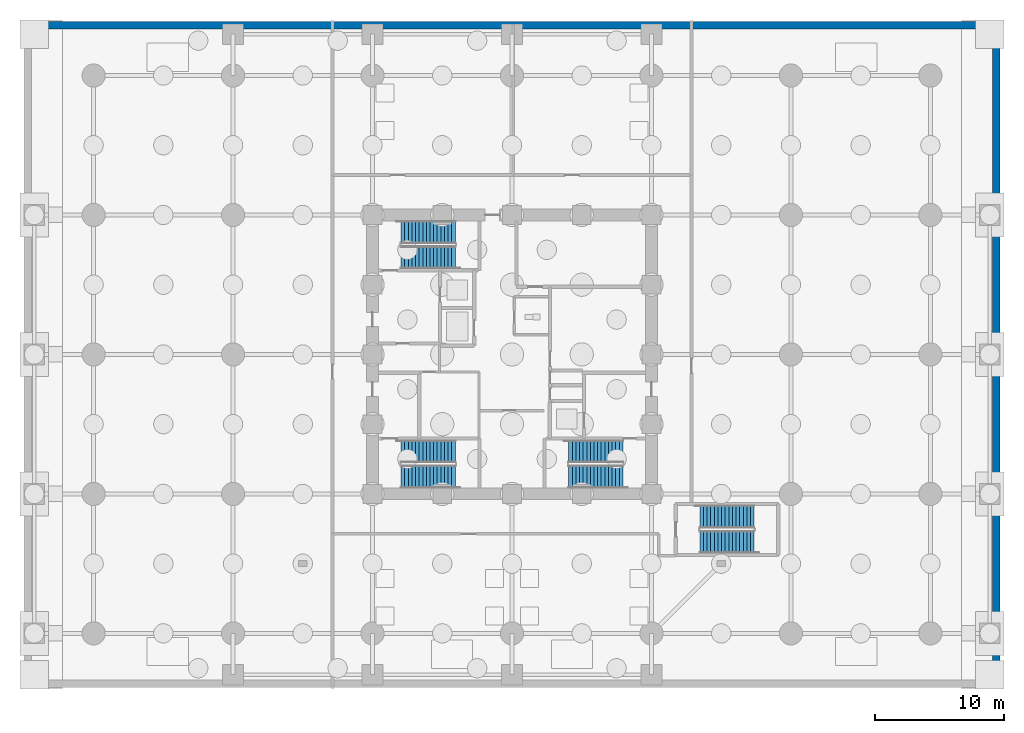
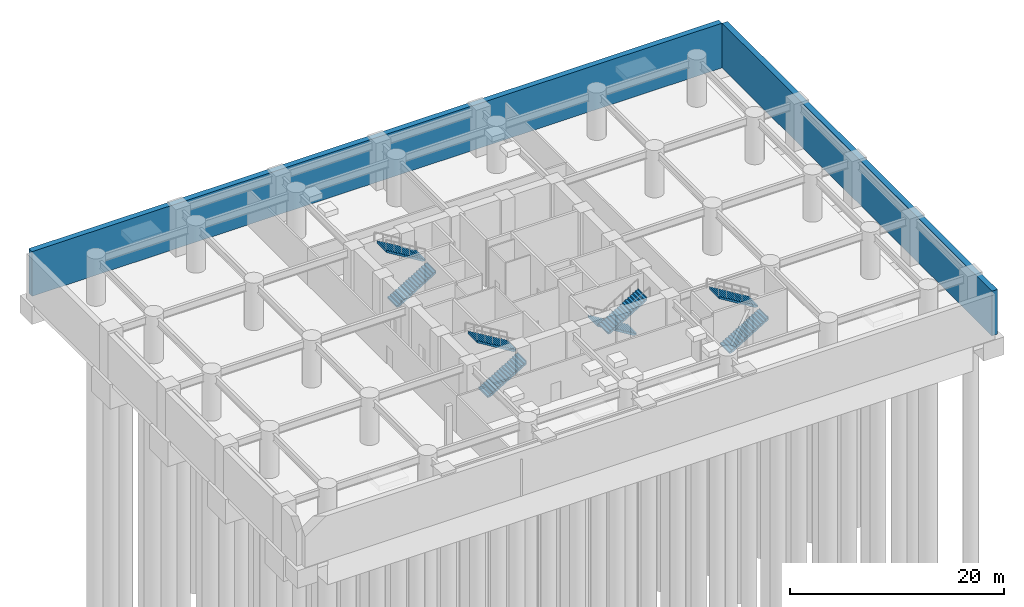
# One storey, part 6 of 9: 8 stair flights, 2 walls, 4 elements without a shape of their own.
"""IFC4 building model written with IfcOpenShell, lengths in metres."""

from ifc_helpers import new_model, si_unit, direction, frame, frame_2d, origin, place, context, subcontext, project, spatial, polyline, rectangle, outline, extrude, material, layer, layer_set, type_object, element, aggregate, save


model = new_model("IFC4")

# Units and contexts
model_context = context("Model", 3, precision=1e-05, world=origin(), true_north=direction((0.0, 1.0)))
body_context = subcontext(model_context, "Body", "Model", "MODEL_VIEW")
ifc_project = project(units=[si_unit("LENGTHUNIT", "METRE"), si_unit("AREAUNIT", "SQUARE_METRE"), si_unit("VOLUMEUNIT", "CUBIC_METRE"), si_unit("PLANEANGLEUNIT", "RADIAN"), si_unit("MASSUNIT", "GRAM", prefix="KILO")], contexts=[model_context])

# Site, building, storey
site_placement = place(None, origin())
site = spatial("IfcSite", under=ifc_project, at=site_placement, CompositionType="ELEMENT")
building_placement = place(site_placement, origin())
building = spatial("IfcBuilding", under=site, at=building_placement, Name="Surkhivell Harbour Commons", CompositionType="ELEMENT")
storey_placement = place(building_placement, frame((0.0, 0.0, -5.39990234375)))
storey = spatial("IfcBuildingStorey", under=building, at=storey_placement, Name="B1", CompositionType="ELEMENT", Elevation=-5.39990234375)

# Walls
ifc_material_1 = material(Name="Concrete C50/60", Category="concrete")
ifc_layer = layer(ifc_material_1, 0.60009765625)
ifc_layer_set = layer_set([ifc_layer], Name="Concrete C50/60")
wall_type = type_object("IfcWallType", Name="WAL-RET-600", PredefinedType="SOLIDWALL", material=ifc_layer_set)
wall_1_placement = place(storey_placement, frame((37.199951171875, 25.5, 0.0), z_axis=(0.0, 0.0, 1.0), x_axis=(-1.0, 0.0, 0.0)))
element("IfcWall", 1, at=wall_1_placement, inside=storey, type_object=wall_type, Name="B1 Perimeter RC Retaining Wall N", PredefinedType="SOLIDWALL", context=body_context, shape_type="SweptSolid", body=[
    extrude(rectangle(XDim=74.39990234375, YDim=0.60009765625, at=frame_2d((37.199951171875, 0.0))), origin(), (0.0, 0.0, 1.0), 5.099853515625),
])
wall_2_placement = place(storey_placement, frame((37.5, 25.199951171875, 0.0), z_axis=(0.0, 0.0, 1.0), x_axis=(0.0, -1.0, 0.0)))
element("IfcWall", 2, at=wall_2_placement, inside=storey, type_object=wall_type, Name="B1 Perimeter RC Retaining Wall E", PredefinedType="SOLIDWALL", context=body_context, shape_type="SweptSolid", body=[
    extrude(rectangle(XDim=50.39990234375, YDim=0.60009765625, at=frame_2d((25.199951171875, 0.0))), origin(), (0.0, 0.0, 1.0), 5.099853515625),
])

# Stair, stair flights
ifc_material_2 = material(Name="Precast concrete C45/55", Category="concrete")
stair_type = type_object("IfcStairType", Name="STR-DL-540", PredefinedType="HALF_TURN_STAIR", material=ifc_material_2)
stair_1_placement = place(storey_placement, origin())
stair_1 = element("IfcStair", 3, at=stair_1_placement, inside=storey, type_object=stair_type, Name="B1 Core Exit Stair ST1", PredefinedType="HALF_TURN_STAIR")
stair_flight_type = type_object("IfcStairFlightType", Name="STF-DL-540", PredefinedType="STRAIGHT", material=ifc_material_2)
stair_flight_1_placement = place(storey_placement, frame((-8.590087890625, 7.514892578125, 0.0), z_axis=(0.0, 0.0, 1.0), x_axis=(1.0, 0.0, 0.0)))
stair_flight_1 = element("IfcStairFlight", 4, at=stair_flight_1_placement, type_object=stair_flight_type, Name="ST1 flight 1", NumberOfRisers=16, NumberOfTreads=15, PredefinedType="STRAIGHT", RiserHeight=0.16875, TreadLength=0.28, context=body_context, shape_type="SweptSolid", body=[
    extrude(outline(polyline([(-0.0029296875, -0.034912109375), (-0.0029296875, 0.0), (0.0, 0.0), (0.0, 0.168701171875), (0.280029296875, 0.168701171875), (0.280029296875, 0.33740234375), (0.56005859375, 0.33740234375), (0.56005859375, 0.50634765625), (0.840087890625, 0.50634765625), (0.840087890625, 0.675048828125), (1.1201171875, 0.675048828125), (1.1201171875, 0.84375), (1.39990234375, 0.84375), (1.39990234375, 1.012451171875), (1.679931640625, 1.012451171875), (1.679931640625, 1.18115234375), (1.9599609375, 1.18115234375), (1.9599609375, 1.35009765625), (2.239990234375, 1.35009765625), (2.239990234375, 1.518798828125), (2.52001953125, 1.518798828125), (2.52001953125, 1.6875), (2.800048828125, 1.6875), (2.800048828125, 1.856201171875), (3.080078125, 1.856201171875), (3.080078125, 2.02490234375), (3.360107421875, 2.02490234375), (3.360107421875, 2.19384765625), (3.639892578125, 2.19384765625), (3.639892578125, 2.362548828125), (3.919921875, 2.362548828125), (3.919921875, 2.53125), (4.199951171875, 2.53125), (4.199951171875, 2.699951171875), (4.202880859375, 2.699951171875), (4.202880859375, 2.356201171875), (0.29052734375, -0.034912109375), (-0.0029296875, -0.034912109375)])), frame((0.0, 0.875, 0.0), z_axis=(0.0, -1.0, 0.0), x_axis=(1.0, 0.0, 0.0)), (0.0, 0.0, 1.0), 1.75),
])
stair_flight_2_placement = place(storey_placement, frame((-4.389892578125, 9.465087890625, 2.699951171875), z_axis=(0.0, 0.0, 1.0), x_axis=(-1.0, 0.0, 0.0)))
stair_flight_2 = element("IfcStairFlight", 5, at=stair_flight_2_placement, type_object=stair_flight_type, Name="ST1 flight 2", NumberOfRisers=16, NumberOfTreads=15, PredefinedType="STRAIGHT", RiserHeight=0.16875, TreadLength=0.28, context=body_context, shape_type="SweptSolid", body=[
    extrude(outline(polyline([(-0.0029296875, -0.034912109375), (-0.0029296875, 0.0), (0.0, 0.0), (0.0, 0.168701171875), (0.280029296875, 0.168701171875), (0.280029296875, 0.33740234375), (0.56005859375, 0.33740234375), (0.56005859375, 0.50634765625), (0.840087890625, 0.50634765625), (0.840087890625, 0.675048828125), (1.1201171875, 0.675048828125), (1.1201171875, 0.84375), (1.39990234375, 0.84375), (1.39990234375, 1.012451171875), (1.679931640625, 1.012451171875), (1.679931640625, 1.18115234375), (1.9599609375, 1.18115234375), (1.9599609375, 1.35009765625), (2.239990234375, 1.35009765625), (2.239990234375, 1.518798828125), (2.52001953125, 1.518798828125), (2.52001953125, 1.6875), (2.800048828125, 1.6875), (2.800048828125, 1.856201171875), (3.080078125, 1.856201171875), (3.080078125, 2.02490234375), (3.360107421875, 2.02490234375), (3.360107421875, 2.19384765625), (3.639892578125, 2.19384765625), (3.639892578125, 2.362548828125), (3.919921875, 2.362548828125), (3.919921875, 2.53125), (4.199951171875, 2.53125), (4.199951171875, 2.699951171875), (4.202880859375, 2.699951171875), (4.202880859375, 2.356201171875), (0.29052734375, -0.034912109375), (-0.0029296875, -0.034912109375)])), frame((0.0, 0.875, 0.0), z_axis=(0.0, -1.0, 0.0), x_axis=(1.0, 0.0, 0.0)), (0.0, 0.0, 1.0), 1.75),
])
aggregate(stair_1, [stair_flight_1, stair_flight_2])

stair_2_placement = place(storey_placement, origin())
stair_2 = element("IfcStair", 6, at=stair_2_placement, inside=storey, type_object=stair_type, Name="B1 Core Exit Stair ST2", PredefinedType="HALF_TURN_STAIR")
stair_flight_3_placement = place(storey_placement, frame((8.590087890625, -7.514892578125, 0.0), z_axis=(0.0, 0.0, 1.0), x_axis=(-1.0, 0.0, 0.0)))
stair_flight_3 = element("IfcStairFlight", 7, at=stair_flight_3_placement, type_object=stair_flight_type, Name="ST2 flight 1", NumberOfRisers=16, NumberOfTreads=15, PredefinedType="STRAIGHT", RiserHeight=0.16875, TreadLength=0.28, context=body_context, shape_type="SweptSolid", body=[
    extrude(outline(polyline([(-0.0029296875, -0.034912109375), (-0.0029296875, 0.0), (0.0, 0.0), (0.0, 0.168701171875), (0.280029296875, 0.168701171875), (0.280029296875, 0.33740234375), (0.56005859375, 0.33740234375), (0.56005859375, 0.50634765625), (0.840087890625, 0.50634765625), (0.840087890625, 0.675048828125), (1.1201171875, 0.675048828125), (1.1201171875, 0.84375), (1.39990234375, 0.84375), (1.39990234375, 1.012451171875), (1.679931640625, 1.012451171875), (1.679931640625, 1.18115234375), (1.9599609375, 1.18115234375), (1.9599609375, 1.35009765625), (2.239990234375, 1.35009765625), (2.239990234375, 1.518798828125), (2.52001953125, 1.518798828125), (2.52001953125, 1.6875), (2.800048828125, 1.6875), (2.800048828125, 1.856201171875), (3.080078125, 1.856201171875), (3.080078125, 2.02490234375), (3.360107421875, 2.02490234375), (3.360107421875, 2.19384765625), (3.639892578125, 2.19384765625), (3.639892578125, 2.362548828125), (3.919921875, 2.362548828125), (3.919921875, 2.53125), (4.199951171875, 2.53125), (4.199951171875, 2.699951171875), (4.202880859375, 2.699951171875), (4.202880859375, 2.356201171875), (0.29052734375, -0.034912109375), (-0.0029296875, -0.034912109375)])), frame((0.0, 0.875, 0.0), z_axis=(0.0, -1.0, 0.0), x_axis=(1.0, 0.0, 0.0)), (0.0, 0.0, 1.0), 1.75),
])
stair_flight_4_placement = place(storey_placement, frame((4.389892578125, -9.465087890625, 2.699951171875), z_axis=(0.0, 0.0, 1.0), x_axis=(1.0, 0.0, 0.0)))
stair_flight_4 = element("IfcStairFlight", 8, at=stair_flight_4_placement, type_object=stair_flight_type, Name="ST2 flight 2", NumberOfRisers=16, NumberOfTreads=15, PredefinedType="STRAIGHT", RiserHeight=0.16875, TreadLength=0.28, context=body_context, shape_type="SweptSolid", body=[
    extrude(outline(polyline([(-0.0029296875, -0.034912109375), (-0.0029296875, 0.0), (0.0, 0.0), (0.0, 0.168701171875), (0.280029296875, 0.168701171875), (0.280029296875, 0.33740234375), (0.56005859375, 0.33740234375), (0.56005859375, 0.50634765625), (0.840087890625, 0.50634765625), (0.840087890625, 0.675048828125), (1.1201171875, 0.675048828125), (1.1201171875, 0.84375), (1.39990234375, 0.84375), (1.39990234375, 1.012451171875), (1.679931640625, 1.012451171875), (1.679931640625, 1.18115234375), (1.9599609375, 1.18115234375), (1.9599609375, 1.35009765625), (2.239990234375, 1.35009765625), (2.239990234375, 1.518798828125), (2.52001953125, 1.518798828125), (2.52001953125, 1.6875), (2.800048828125, 1.6875), (2.800048828125, 1.856201171875), (3.080078125, 1.856201171875), (3.080078125, 2.02490234375), (3.360107421875, 2.02490234375), (3.360107421875, 2.19384765625), (3.639892578125, 2.19384765625), (3.639892578125, 2.362548828125), (3.919921875, 2.362548828125), (3.919921875, 2.53125), (4.199951171875, 2.53125), (4.199951171875, 2.699951171875), (4.202880859375, 2.699951171875), (4.202880859375, 2.356201171875), (0.29052734375, -0.034912109375), (-0.0029296875, -0.034912109375)])), frame((0.0, 0.875, 0.0), z_axis=(0.0, -1.0, 0.0), x_axis=(1.0, 0.0, 0.0)), (0.0, 0.0, 1.0), 1.75),
])
aggregate(stair_2, [stair_flight_3, stair_flight_4])

stair_3_placement = place(storey_placement, origin())
stair_3 = element("IfcStair", 9, at=stair_3_placement, inside=storey, type_object=stair_type, Name="B1 Core Exit Stair ST3", PredefinedType="HALF_TURN_STAIR")
stair_flight_5_placement = place(storey_placement, frame((-8.590087890625, -9.465087890625, 0.0), z_axis=(0.0, 0.0, 1.0), x_axis=(1.0, 0.0, 0.0)))
stair_flight_5 = element("IfcStairFlight", 10, at=stair_flight_5_placement, type_object=stair_flight_type, Name="ST3 flight 1", NumberOfRisers=16, NumberOfTreads=15, PredefinedType="STRAIGHT", RiserHeight=0.16875, TreadLength=0.28, context=body_context, shape_type="SweptSolid", body=[
    extrude(outline(polyline([(-0.0029296875, -0.034912109375), (-0.0029296875, 0.0), (0.0, 0.0), (0.0, 0.168701171875), (0.280029296875, 0.168701171875), (0.280029296875, 0.33740234375), (0.56005859375, 0.33740234375), (0.56005859375, 0.50634765625), (0.840087890625, 0.50634765625), (0.840087890625, 0.675048828125), (1.1201171875, 0.675048828125), (1.1201171875, 0.84375), (1.39990234375, 0.84375), (1.39990234375, 1.012451171875), (1.679931640625, 1.012451171875), (1.679931640625, 1.18115234375), (1.9599609375, 1.18115234375), (1.9599609375, 1.35009765625), (2.239990234375, 1.35009765625), (2.239990234375, 1.518798828125), (2.52001953125, 1.518798828125), (2.52001953125, 1.6875), (2.800048828125, 1.6875), (2.800048828125, 1.856201171875), (3.080078125, 1.856201171875), (3.080078125, 2.02490234375), (3.360107421875, 2.02490234375), (3.360107421875, 2.19384765625), (3.639892578125, 2.19384765625), (3.639892578125, 2.362548828125), (3.919921875, 2.362548828125), (3.919921875, 2.53125), (4.199951171875, 2.53125), (4.199951171875, 2.699951171875), (4.202880859375, 2.699951171875), (4.202880859375, 2.356201171875), (0.29052734375, -0.034912109375), (-0.0029296875, -0.034912109375)])), frame((0.0, 0.875, 0.0), z_axis=(0.0, -1.0, 0.0), x_axis=(1.0, 0.0, 0.0)), (0.0, 0.0, 1.0), 1.75),
])
stair_flight_6_placement = place(storey_placement, frame((-4.389892578125, -7.514892578125, 2.699951171875), z_axis=(0.0, 0.0, 1.0), x_axis=(-1.0, 0.0, 0.0)))
stair_flight_6 = element("IfcStairFlight", 11, at=stair_flight_6_placement, type_object=stair_flight_type, Name="ST3 flight 2", NumberOfRisers=16, NumberOfTreads=15, PredefinedType="STRAIGHT", RiserHeight=0.16875, TreadLength=0.28, context=body_context, shape_type="SweptSolid", body=[
    extrude(outline(polyline([(-0.0029296875, -0.034912109375), (-0.0029296875, 0.0), (0.0, 0.0), (0.0, 0.168701171875), (0.280029296875, 0.168701171875), (0.280029296875, 0.33740234375), (0.56005859375, 0.33740234375), (0.56005859375, 0.50634765625), (0.840087890625, 0.50634765625), (0.840087890625, 0.675048828125), (1.1201171875, 0.675048828125), (1.1201171875, 0.84375), (1.39990234375, 0.84375), (1.39990234375, 1.012451171875), (1.679931640625, 1.012451171875), (1.679931640625, 1.18115234375), (1.9599609375, 1.18115234375), (1.9599609375, 1.35009765625), (2.239990234375, 1.35009765625), (2.239990234375, 1.518798828125), (2.52001953125, 1.518798828125), (2.52001953125, 1.6875), (2.800048828125, 1.6875), (2.800048828125, 1.856201171875), (3.080078125, 1.856201171875), (3.080078125, 2.02490234375), (3.360107421875, 2.02490234375), (3.360107421875, 2.19384765625), (3.639892578125, 2.19384765625), (3.639892578125, 2.362548828125), (3.919921875, 2.362548828125), (3.919921875, 2.53125), (4.199951171875, 2.53125), (4.199951171875, 2.699951171875), (4.202880859375, 2.699951171875), (4.202880859375, 2.356201171875), (0.29052734375, -0.034912109375), (-0.0029296875, -0.034912109375)])), frame((0.0, 0.875, 0.0), z_axis=(0.0, -1.0, 0.0), x_axis=(1.0, 0.0, 0.0)), (0.0, 0.0, 1.0), 1.75),
])
aggregate(stair_3, [stair_flight_5, stair_flight_6])

stair_4_placement = place(storey_placement, origin())
stair_4 = element("IfcStair", 12, at=stair_4_placement, inside=storey, type_object=stair_type, Name="B1 Podium Exit Stair ST4", PredefinedType="HALF_TURN_STAIR")
stair_flight_7_placement = place(storey_placement, frame((14.550048828125, -14.52490234375, 0.0), z_axis=(0.0, 0.0, 1.0), x_axis=(1.0, 0.0, 0.0)))
stair_flight_7 = element("IfcStairFlight", 13, at=stair_flight_7_placement, type_object=stair_flight_type, Name="ST4 flight 1", NumberOfRisers=16, NumberOfTreads=15, PredefinedType="STRAIGHT", RiserHeight=0.16875, TreadLength=0.28, context=body_context, shape_type="SweptSolid", body=[
    extrude(outline(polyline([(-0.0029296875, -0.034912109375), (-0.0029296875, 0.0), (0.0, 0.0), (0.0, 0.168701171875), (0.280029296875, 0.168701171875), (0.280029296875, 0.33740234375), (0.56005859375, 0.33740234375), (0.56005859375, 0.50634765625), (0.840087890625, 0.50634765625), (0.840087890625, 0.675048828125), (1.1201171875, 0.675048828125), (1.1201171875, 0.84375), (1.39990234375, 0.84375), (1.39990234375, 1.012451171875), (1.679931640625, 1.012451171875), (1.679931640625, 1.18115234375), (1.9599609375, 1.18115234375), (1.9599609375, 1.35009765625), (2.239990234375, 1.35009765625), (2.239990234375, 1.518798828125), (2.52001953125, 1.518798828125), (2.52001953125, 1.6875), (2.800048828125, 1.6875), (2.800048828125, 1.856201171875), (3.080078125, 1.856201171875), (3.080078125, 2.02490234375), (3.360107421875, 2.02490234375), (3.360107421875, 2.19384765625), (3.639892578125, 2.19384765625), (3.639892578125, 2.362548828125), (3.919921875, 2.362548828125), (3.919921875, 2.53125), (4.199951171875, 2.53125), (4.199951171875, 2.699951171875), (4.202880859375, 2.699951171875), (4.202880859375, 2.356201171875), (0.29052734375, -0.034912109375), (-0.0029296875, -0.034912109375)])), frame((0.0, 0.875, 0.0), z_axis=(0.0, -1.0, 0.0), x_axis=(1.0, 0.0, 0.0)), (0.0, 0.0, 1.0), 1.75),
])
stair_flight_8_placement = place(storey_placement, frame((18.75, -12.574951171875, 2.699951171875), z_axis=(0.0, 0.0, 1.0), x_axis=(-1.0, 0.0, 0.0)))
stair_flight_8 = element("IfcStairFlight", 14, at=stair_flight_8_placement, type_object=stair_flight_type, Name="ST4 flight 2", NumberOfRisers=16, NumberOfTreads=15, PredefinedType="STRAIGHT", RiserHeight=0.16875, TreadLength=0.28, context=body_context, shape_type="SweptSolid", body=[
    extrude(outline(polyline([(-0.0029296875, -0.034912109375), (-0.0029296875, 0.0), (0.0, 0.0), (0.0, 0.168701171875), (0.280029296875, 0.168701171875), (0.280029296875, 0.33740234375), (0.56005859375, 0.33740234375), (0.56005859375, 0.50634765625), (0.840087890625, 0.50634765625), (0.840087890625, 0.675048828125), (1.1201171875, 0.675048828125), (1.1201171875, 0.84375), (1.39990234375, 0.84375), (1.39990234375, 1.012451171875), (1.679931640625, 1.012451171875), (1.679931640625, 1.18115234375), (1.9599609375, 1.18115234375), (1.9599609375, 1.35009765625), (2.239990234375, 1.35009765625), (2.239990234375, 1.518798828125), (2.52001953125, 1.518798828125), (2.52001953125, 1.6875), (2.800048828125, 1.6875), (2.800048828125, 1.856201171875), (3.080078125, 1.856201171875), (3.080078125, 2.02490234375), (3.360107421875, 2.02490234375), (3.360107421875, 2.19384765625), (3.639892578125, 2.19384765625), (3.639892578125, 2.362548828125), (3.919921875, 2.362548828125), (3.919921875, 2.53125), (4.199951171875, 2.53125), (4.199951171875, 2.699951171875), (4.202880859375, 2.699951171875), (4.202880859375, 2.356201171875), (0.29052734375, -0.034912109375), (-0.0029296875, -0.034912109375)])), frame((0.0, 0.875, 0.0), z_axis=(0.0, -1.0, 0.0), x_axis=(1.0, 0.0, 0.0)), (0.0, 0.0, 1.0), 1.75),
])
aggregate(stair_4, [stair_flight_7, stair_flight_8])

save(model, "model.ifc")
